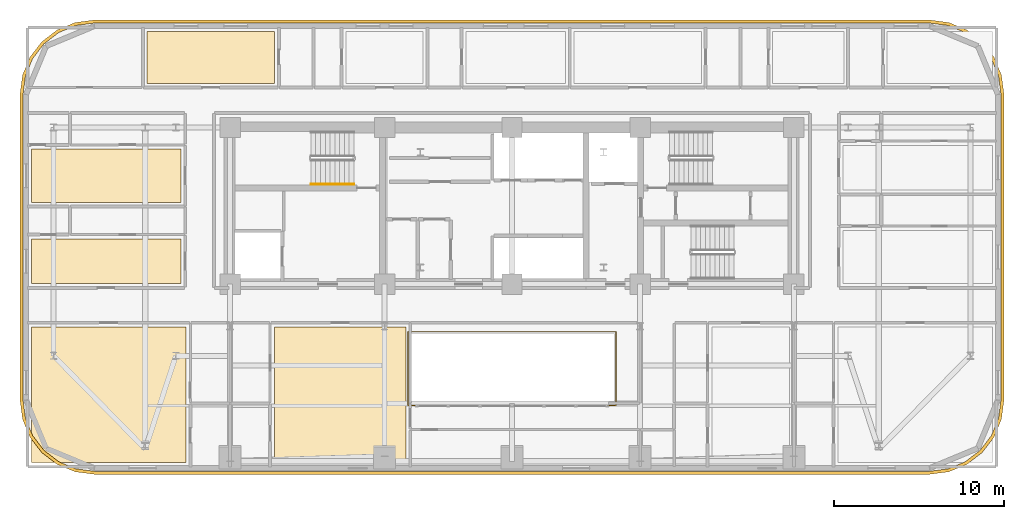
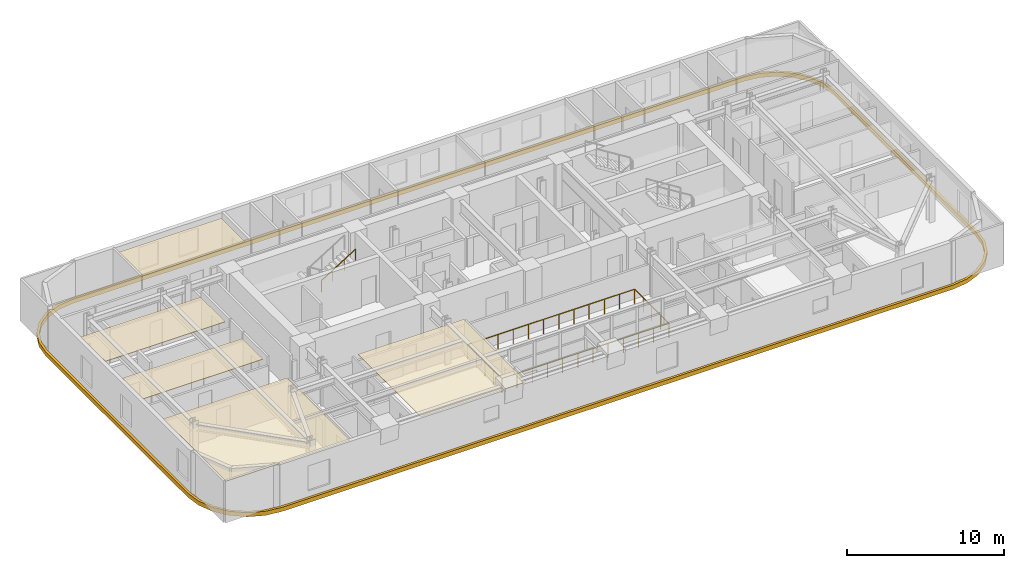
# One storey, part 14 of 16: 6 coverings, 2 railings.
"""IFC4 building model written with IfcOpenShell, lengths in metres."""

from ifc_helpers import new_model, si_unit, direction, frame, origin, origin_2d, place, context, subcontext, project, spatial, polyline, rectangle, outline, extrude, material, layer, layer_set, type_object, element, save


model = new_model("IFC4")

# Units and contexts
model_context = context("Model", 3, precision=1e-05, world=origin(), true_north=direction((0.0, 1.0)))
body_context = subcontext(model_context, "Body", "Model", "MODEL_VIEW")
ifc_project = project(units=[si_unit("LENGTHUNIT", "METRE"), si_unit("AREAUNIT", "SQUARE_METRE"), si_unit("VOLUMEUNIT", "CUBIC_METRE"), si_unit("PLANEANGLEUNIT", "RADIAN"), si_unit("MASSUNIT", "GRAM", prefix="KILO")], contexts=[model_context])

# Site, building, storey
site_placement = place(None, origin())
site = spatial("IfcSite", under=ifc_project, at=site_placement, CompositionType="ELEMENT")
building_placement = place(site_placement, origin())
building = spatial("IfcBuilding", under=site, at=building_placement, Name="Zarnavel Station Tower", CompositionType="ELEMENT")
storey_placement = place(building_placement, frame((0.0, 0.0, 94.300048828125)))
storey = spatial("IfcBuildingStorey", under=building, at=storey_placement, Name="L25", CompositionType="ELEMENT", Elevation=94.300048828125)

# Coverings
ifc_material_1 = material(Name="Perforated Gypsum and Mineral-Wool Acoustic Ceiling", Category="concrete")
ifc_layer = layer(ifc_material_1, 0.0400390625)
ifc_layer_set = layer_set([ifc_layer], Name="COV_CEIL_ACOUSTIC")
covering_type_1 = type_object("IfcCoveringType", Name="COV_CEIL_ACOUSTIC", PredefinedType="CEILING", material=ifc_layer_set)
covering_1_placement = place(storey_placement, frame((0.0, 0.0, 2.919921875)))
element("IfcCovering", 1, at=covering_1_placement, inside=storey, type_object=covering_type_1, Name="L25 FNW1R Acoustic Ceiling", PredefinedType="CEILING", context=body_context, shape_type="SweptSolid", body=[
    extrude(outline(polyline([(0.510009765625, 27.85009765625), (9.300048828125, 27.85009765625), (9.300048828125, 30.490966796875), (0.510009765625, 30.490966796875), (0.510009765625, 27.85009765625)])), origin(), (0.0, 0.0, 1.0), 0.0400390625),
])
covering_2_placement = place(storey_placement, frame((0.0, 0.0, 2.919921875)))
element("IfcCovering", 2, at=covering_2_placement, inside=storey, type_object=covering_type_1, Name="L25 FNW2R Acoustic Ceiling", PredefinedType="CEILING", context=body_context, shape_type="SweptSolid", body=[
    extrude(outline(polyline([(0.510009765625, 32.64111328125), (9.300048828125, 32.64111328125), (9.300048828125, 35.777099609375), (0.510009765625, 35.777099609375), (0.510009765625, 32.64111328125)])), origin(), (0.0, 0.0, 1.0), 0.0400390625),
])
covering_3_placement = place(storey_placement, frame((0.0, 0.0, 2.919921875)))
element("IfcCovering", 3, at=covering_3_placement, inside=storey, type_object=covering_type_1, Name="L25 HN1R Acoustic Ceiling", PredefinedType="CEILING", context=body_context, shape_type="SweptSolid", body=[
    extrude(outline(polyline([(7.31005859375, 39.64990234375), (14.81591796875, 39.64990234375), (14.81591796875, 42.68994140625), (7.31005859375, 42.68994140625), (7.31005859375, 39.64990234375)])), origin(), (0.0, 0.0, 1.0), 0.0400390625),
])
covering_4_placement = place(storey_placement, frame((0.0, 0.0, 2.919921875)))
element("IfcCovering", 4, at=covering_4_placement, inside=storey, type_object=covering_type_1, Name="L25 HW1R Acoustic Ceiling", PredefinedType="CEILING", context=body_context, shape_type="SweptSolid", body=[
    extrude(outline(polyline([(0.510009765625, 17.31005859375), (9.60009765625, 17.31005859375), (9.60009765625, 25.300048828125), (0.510009765625, 25.300048828125), (0.510009765625, 17.31005859375)])), origin(), (0.0, 0.0, 1.0), 0.0400390625),
])
covering_5_placement = place(storey_placement, frame((0.0, 0.0, 2.919921875)))
element("IfcCovering", 5, at=covering_5_placement, inside=storey, type_object=covering_type_1, Name="L25 HW2R Acoustic Ceiling", PredefinedType="CEILING", context=body_context, shape_type="SweptSolid", body=[
    extrude(outline(polyline([(14.800048828125, 17.31005859375), (22.550048828125, 17.31005859375), (22.550048828125, 25.300048828125), (14.800048828125, 25.300048828125), (14.800048828125, 17.31005859375)])), origin(), (0.0, 0.0, 1.0), 0.0400390625),
])
ifc_material_2 = material(Name="Precast concrete C45/55 (Pale Travertine Slab Band)", Category="masonry")
covering_type_2 = type_object("IfcCoveringType", Name="COV_TRAVERTINE_BAND", PredefinedType="CLADDING", material=ifc_material_2)
covering_6_placement = place(storey_placement, frame((0.0, 0.0, -0.260009765625)))
element("IfcCovering", 6, at=covering_6_placement, inside=storey, type_object=covering_type_2, Name="L25 Pale Travertine Slab-Edge Band", PredefinedType="CLADDING", context=body_context, shape_type="SweptSolid", body=[
    extrude(outline(polyline([(53.39990234375, 16.6201171875), (54.53369140625, 16.769287109375), (55.590087890625, 17.206787109375), (56.4970703125, 17.90283203125), (57.193115234375, 18.81005859375), (57.630859375, 19.866455078125), (57.780029296875, 21.0), (57.780029296875, 39.0), (57.630859375, 40.133544921875), (57.193115234375, 41.18994140625), (56.4970703125, 42.09716796875), (55.590087890625, 42.793212890625), (54.53369140625, 43.230712890625), (53.39990234375, 43.3798828125), (4.199951171875, 43.3798828125), (3.06640625, 43.230712890625), (2.010009765625, 42.793212890625), (1.102783203125, 42.09716796875), (0.40673828125, 41.18994140625), (-0.03076171875, 40.133544921875), (-0.179931640625, 39.0), (-0.179931640625, 21.0), (-0.03076171875, 19.866455078125), (0.40673828125, 18.81005859375), (1.102783203125, 17.90283203125), (2.010009765625, 17.206787109375), (3.06640625, 16.769287109375), (4.199951171875, 16.6201171875), (53.39990234375, 16.6201171875)]), holes=[polyline([(53.39990234375, 16.800048828125), (54.487060546875, 16.943115234375), (55.5, 17.36279296875), (56.369873046875, 18.0302734375), (57.037353515625, 18.89990234375), (57.456787109375, 19.9130859375), (57.60009765625, 21.0), (57.60009765625, 39.0), (57.456787109375, 40.0869140625), (57.037353515625, 41.10009765625), (56.369873046875, 41.9697265625), (55.5, 42.63720703125), (54.487060546875, 43.056884765625), (53.39990234375, 43.199951171875), (4.199951171875, 43.199951171875), (3.113037109375, 43.056884765625), (2.10009765625, 42.63720703125), (1.230224609375, 41.9697265625), (0.562744140625, 41.10009765625), (0.14306640625, 40.0869140625), (0.0, 39.0), (0.0, 21.0), (0.14306640625, 19.9130859375), (0.562744140625, 18.89990234375), (1.230224609375, 18.0302734375), (2.10009765625, 17.36279296875), (3.113037109375, 16.943115234375), (4.199951171875, 16.800048828125), (53.39990234375, 16.800048828125)])]), origin(), (0.0, 0.0, 1.0), 0.320068359375),
])

# Railings
ifc_material_3 = material(Name="Painted Steel S355J2 Balustrade", Category="steel")
railing_type_1 = type_object("IfcRailingType", Name="GR_INT_1150", PredefinedType="GUARDRAIL", material=ifc_material_3)
railing_1_placement = place(storey_placement, frame((22.679931640625, 20.679931640625, 0.0)))
element("IfcRailing", 7, at=railing_1_placement, inside=storey, type_object=railing_type_1, Name="L25 Atrium Void Guardrail", PredefinedType="GUARDRAIL", context=body_context, shape_type="SweptSolid", body=[
    extrude(rectangle(XDim=0.048095703125, YDim=0.048095703125, at=origin_2d()), frame((0.001953125, 0.0, 1.1259765625), z_axis=(1.0, 0.0, 0.0), x_axis=(0.0, 1.0, 0.0)), (0.0, 0.0, 1.0), 12.236083984375),
    extrude(rectangle(XDim=0.048095703125, YDim=0.048095703125, at=origin_2d()), frame((12.239990234375, 0.001953125, 1.1259765625), z_axis=(0.0, 1.0, 0.0), x_axis=(-1.0, 0.0, 0.0)), (0.0, 0.0, 1.0), 4.336181640625),
    extrude(rectangle(XDim=0.048095703125, YDim=0.048095703125, at=origin_2d()), frame((12.238037109375, 4.340087890625, 1.1259765625), z_axis=(-1.0, 0.0, 0.0), x_axis=(0.0, -1.0, 0.0)), (0.0, 0.0, 1.0), 12.236083984375),
    extrude(rectangle(XDim=0.048095703125, YDim=0.048095703125, at=origin_2d()), frame((0.0, 4.338134765625, 1.1259765625), z_axis=(0.0, -1.0, 0.0), x_axis=(1.0, 0.0, 0.0)), (0.0, 0.0, 1.0), 4.336181640625),
    extrude(rectangle(XDim=0.0419921875, YDim=0.0419921875, at=origin_2d()), origin(), (0.0, 0.0, 1.0), 1.101806640625),
    extrude(rectangle(XDim=0.0419921875, YDim=0.0419921875, at=origin_2d()), frame((1.11279296875, 0.0, 0.0)), (0.0, 0.0, 1.0), 1.101806640625),
    extrude(rectangle(XDim=0.0419921875, YDim=0.0419921875, at=origin_2d()), frame((2.225341796875, 0.0, 0.0)), (0.0, 0.0, 1.0), 1.101806640625),
    extrude(rectangle(XDim=0.0419921875, YDim=0.0419921875, at=origin_2d()), frame((3.338134765625, 0.0, 0.0)), (0.0, 0.0, 1.0), 1.101806640625),
    extrude(rectangle(XDim=0.0419921875, YDim=0.0419921875, at=origin_2d()), frame((4.450927734375, 0.0, 0.0)), (0.0, 0.0, 1.0), 1.101806640625),
    extrude(rectangle(XDim=0.0419921875, YDim=0.0419921875, at=origin_2d()), frame((5.563720703125, 0.0, 0.0)), (0.0, 0.0, 1.0), 1.101806640625),
    extrude(rectangle(XDim=0.0419921875, YDim=0.0419921875, at=origin_2d()), frame((6.67626953125, 0.0, 0.0)), (0.0, 0.0, 1.0), 1.101806640625),
    extrude(rectangle(XDim=0.0419921875, YDim=0.0419921875, at=origin_2d()), frame((7.7890625, 0.0, 0.0)), (0.0, 0.0, 1.0), 1.101806640625),
    extrude(rectangle(XDim=0.0419921875, YDim=0.0419921875, at=origin_2d()), frame((8.90185546875, 0.0, 0.0)), (0.0, 0.0, 1.0), 1.101806640625),
    extrude(rectangle(XDim=0.0419921875, YDim=0.0419921875, at=origin_2d()), frame((10.0146484375, 0.0, 0.0)), (0.0, 0.0, 1.0), 1.101806640625),
    extrude(rectangle(XDim=0.0419921875, YDim=0.0419921875, at=origin_2d()), frame((11.127197265625, 0.0, 0.0)), (0.0, 0.0, 1.0), 1.101806640625),
    extrude(rectangle(XDim=0.0419921875, YDim=0.0419921875, at=origin_2d()), frame((12.239990234375, 0.0, 0.0)), (0.0, 0.0, 1.0), 1.101806640625),
    extrude(rectangle(XDim=0.0419921875, YDim=0.0419921875, at=origin_2d()), frame((12.239990234375, 1.0849609375, 0.0)), (0.0, 0.0, 1.0), 1.101806640625),
    extrude(rectangle(XDim=0.0419921875, YDim=0.0419921875, at=origin_2d()), frame((12.239990234375, 2.169921875, 0.0)), (0.0, 0.0, 1.0), 1.101806640625),
    extrude(rectangle(XDim=0.0419921875, YDim=0.0419921875, at=origin_2d()), frame((12.239990234375, 3.255126953125, 0.0)), (0.0, 0.0, 1.0), 1.101806640625),
    extrude(rectangle(XDim=0.0419921875, YDim=0.0419921875, at=origin_2d()), frame((12.239990234375, 4.340087890625, 0.0)), (0.0, 0.0, 1.0), 1.101806640625),
    extrude(rectangle(XDim=0.0419921875, YDim=0.0419921875, at=origin_2d()), frame((11.127197265625, 4.340087890625, 0.0)), (0.0, 0.0, 1.0), 1.101806640625),
    extrude(rectangle(XDim=0.0419921875, YDim=0.0419921875, at=origin_2d()), frame((10.0146484375, 4.340087890625, 0.0)), (0.0, 0.0, 1.0), 1.101806640625),
    extrude(rectangle(XDim=0.0419921875, YDim=0.0419921875, at=origin_2d()), frame((8.90185546875, 4.340087890625, 0.0)), (0.0, 0.0, 1.0), 1.101806640625),
    extrude(rectangle(XDim=0.0419921875, YDim=0.0419921875, at=origin_2d()), frame((7.7890625, 4.340087890625, 0.0)), (0.0, 0.0, 1.0), 1.101806640625),
    extrude(rectangle(XDim=0.0419921875, YDim=0.0419921875, at=origin_2d()), frame((6.67626953125, 4.340087890625, 0.0)), (0.0, 0.0, 1.0), 1.101806640625),
    extrude(rectangle(XDim=0.0419921875, YDim=0.0419921875, at=origin_2d()), frame((5.563720703125, 4.340087890625, 0.0)), (0.0, 0.0, 1.0), 1.101806640625),
    extrude(rectangle(XDim=0.0419921875, YDim=0.0419921875, at=origin_2d()), frame((4.450927734375, 4.340087890625, 0.0)), (0.0, 0.0, 1.0), 1.101806640625),
    extrude(rectangle(XDim=0.0419921875, YDim=0.0419921875, at=origin_2d()), frame((3.338134765625, 4.340087890625, 0.0)), (0.0, 0.0, 1.0), 1.101806640625),
    extrude(rectangle(XDim=0.0419921875, YDim=0.0419921875, at=origin_2d()), frame((2.225341796875, 4.340087890625, 0.0)), (0.0, 0.0, 1.0), 1.101806640625),
    extrude(rectangle(XDim=0.0419921875, YDim=0.0419921875, at=origin_2d()), frame((1.11279296875, 4.340087890625, 0.0)), (0.0, 0.0, 1.0), 1.101806640625),
    extrude(rectangle(XDim=0.0419921875, YDim=0.0419921875, at=origin_2d()), frame((0.0, 4.340087890625, 0.0)), (0.0, 0.0, 1.0), 1.101806640625),
    extrude(rectangle(XDim=0.0419921875, YDim=0.0419921875, at=origin_2d()), frame((0.0, 3.255126953125, 0.0)), (0.0, 0.0, 1.0), 1.101806640625),
    extrude(rectangle(XDim=0.0419921875, YDim=0.0419921875, at=origin_2d()), frame((0.0, 2.169921875, 0.0)), (0.0, 0.0, 1.0), 1.101806640625),
    extrude(rectangle(XDim=0.0419921875, YDim=0.0419921875, at=origin_2d()), frame((0.0, 1.0849609375, 0.0)), (0.0, 0.0, 1.0), 1.101806640625),
])
ifc_material_4 = material(Name="Brushed Stainless Steel S355J2 Handrail", Category="steel")
railing_type_2 = type_object("IfcRailingType", Name="HR_STAIR_900", PredefinedType="HANDRAIL", material=ifc_material_4)
railing_2_placement = place(storey_placement, frame((16.9599609375, 33.7099609375, 1.925048828125)))
element("IfcRailing", 8, at=railing_2_placement, inside=storey, type_object=railing_type_2, Name="L25 ST1 stair handrail 2", PredefinedType="HANDRAIL", context=body_context, shape_type="SweptSolid", body=[
    extrude(rectangle(XDim=0.048095703125, YDim=0.048095703125, at=origin_2d()), frame((0.001708984375, 0.0, 0.876953125), z_axis=(0.848007534815, 0.0, 0.529984170421), x_axis=(0.0, 1.0, 0.0)), (0.0, 0.0, 1.0), 2.9677734375),
    extrude(rectangle(XDim=0.0419921875, YDim=0.0419921875, at=origin_2d()), origin(), (0.0, 0.0, 1.0), 0.851806640625),
    extrude(rectangle(XDim=0.0419921875, YDim=0.0419921875, at=origin_2d()), frame((0.840087890625, 0.0, 0.52490234375)), (0.0, 0.0, 1.0), 0.851806640625),
    extrude(rectangle(XDim=0.0419921875, YDim=0.0419921875, at=origin_2d()), frame((1.679931640625, 0.0, 1.050048828125)), (0.0, 0.0, 1.0), 0.851806640625),
    extrude(rectangle(XDim=0.0419921875, YDim=0.0419921875, at=origin_2d()), frame((2.52001953125, 0.0, 1.574951171875)), (0.0, 0.0, 1.0), 0.851806640625),
])

save(model, "model.ifc")
